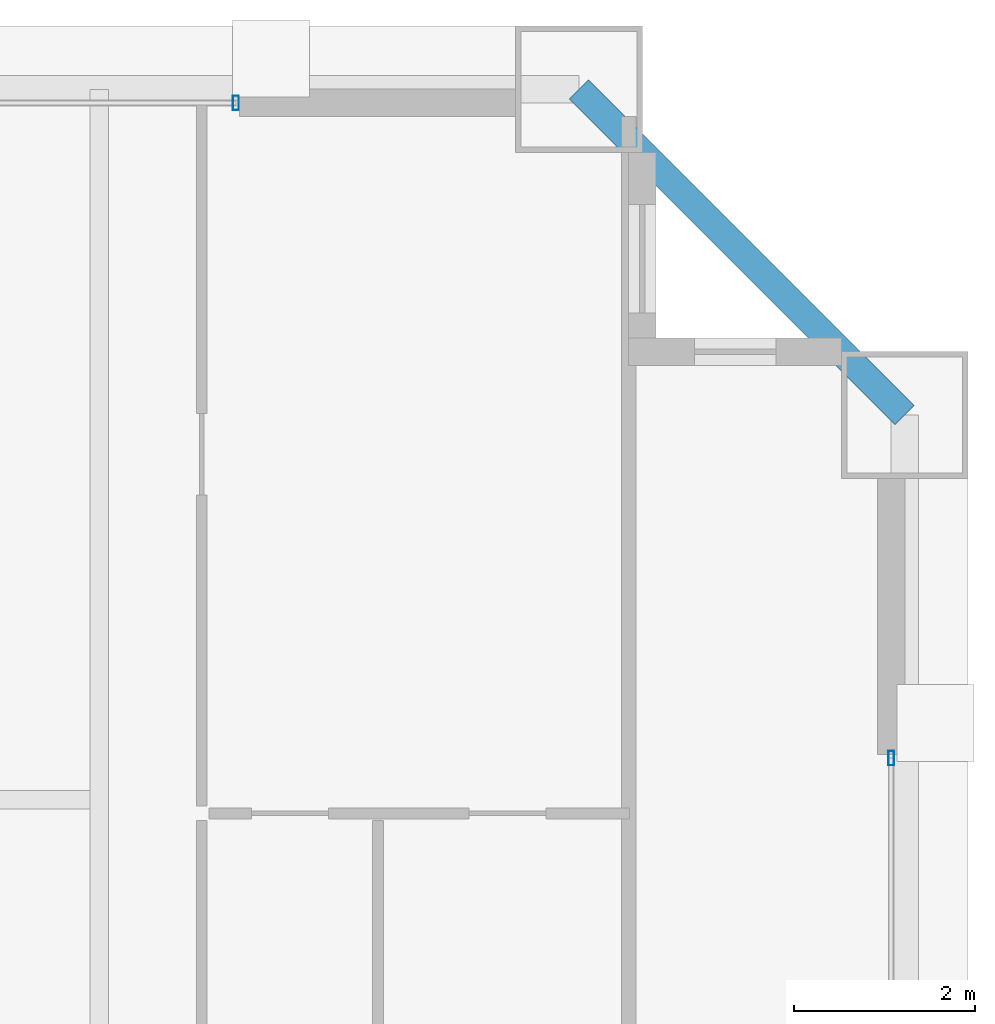
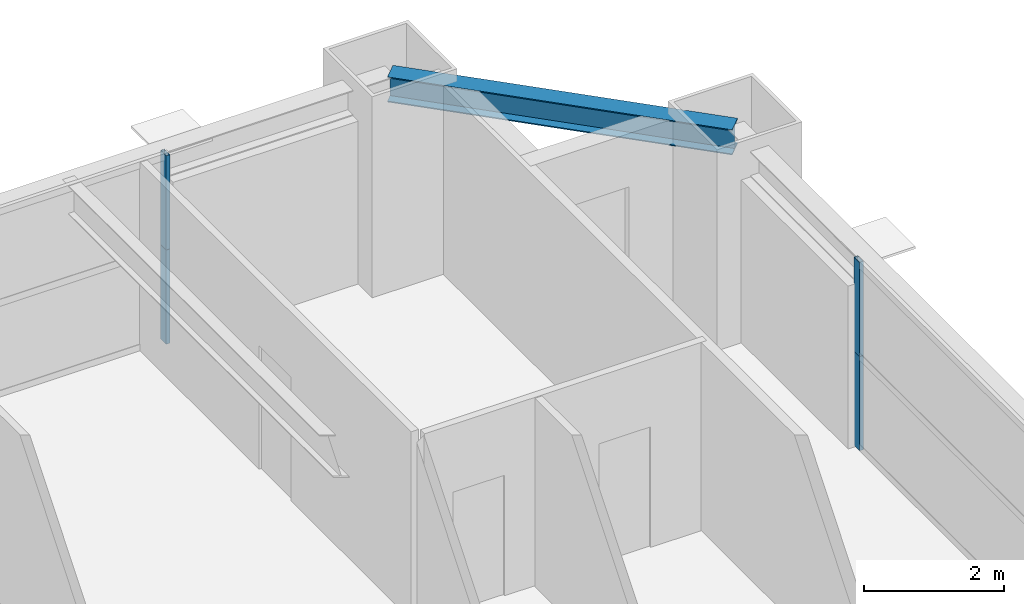
# One storey, part 31 of 38: 4 members, 1 beam, 2 elements without a shape of their own.
"""IFC4 building model written with IfcOpenShell, lengths in metres."""

import ifcopenshell
import ifcopenshell.guid

model = None  # the IFC model being written
_history = None  # IfcOwnerHistory: only IFC2X3 demands one
_inside = {}  # id of a spatial element -> (the spatial element, [elements in it])
_under = {}  # id of a project, library or spatial element -> (it, [spatial elements below it])
_declared = {}  # id of a project -> (the project, [libraries it declares])
_typed = {}  # id of a type object -> (the type object, [elements of that type])
_made_of = {}  # id of a material, layer set ... -> (it, [elements and type objects made of it])


def new_model(schema):
    """Start an empty IFC model of exactly this schema.

    Asked for "IFC4X3", IfcOpenShell would pick the latest addendum, in which some entities
    have other attributes; the version numbers below select the first issue.
    IFC2X3 requires an IfcOwnerHistory on every rooted entity: one is made here for all.
    """
    global model, _history
    if schema == "IFC4X3":
        model = ifcopenshell.file(schema_version=(4, 3, 0, 0))
    else:
        model = ifcopenshell.file(schema=schema)
    _inside.clear()
    _under.clear()
    _declared.clear()
    _typed.clear()
    _made_of.clear()
    _history = None
    if model.schema == "IFC2X3":
        org = make("IfcOrganization", Name="unknown")
        user = make(
            "IfcPersonAndOrganization",
            ThePerson=make("IfcPerson", FamilyName="unknown"),
            TheOrganization=org,
        )
        app = make(
            "IfcApplication",
            ApplicationDeveloper=org,
            Version="unknown",
            ApplicationFullName="unknown",
            ApplicationIdentifier="unknown",
        )
        _history = make(
            "IfcOwnerHistory",
            OwningUser=user,
            OwningApplication=app,
            ChangeAction="ADDED",
            CreationDate=0,
        )
    return model


def make(cls, **values):
    """One entity of the class cls with the attributes given. An attribute that is None is left unset."""
    return model.create_entity(
        cls, **{name: value for name, value in values.items() if value is not None}
    )


def rooted(cls, **values):
    """An entity with a GlobalId (a new one), such as an element, a storey or a relation."""
    return make(cls, GlobalId=ifcopenshell.guid.new(), OwnerHistory=_history, **values)


def si_unit(unit_type, name, prefix=None):
    """IfcSIUnit, for example si_unit("LENGTHUNIT", "METRE", prefix="MILLI")."""
    return make("IfcSIUnit", UnitType=unit_type, Prefix=prefix, Name=name)


def assignment(units):
    """IfcUnitAssignment: the units of a project."""
    return None if units is None else make("IfcUnitAssignment", Units=units)


def point(xyz):
    """IfcCartesianPoint."""
    return None if xyz is None else make("IfcCartesianPoint", Coordinates=xyz)


def direction(xyz):
    """IfcDirection."""
    return None if xyz is None else make("IfcDirection", DirectionRatios=xyz)


def frame(location, z_axis=None, x_axis=None):
    """IfcAxis2Placement3D, a coordinate frame: its origin and axes. An axis left out is left unset."""
    return make(
        "IfcAxis2Placement3D",
        Location=point(location),
        Axis=direction(z_axis),
        RefDirection=direction(x_axis),
    )


def frame_2d(location, x_axis=None):
    """IfcAxis2Placement2D, a coordinate frame in the plane: its origin and x axis."""
    return make(
        "IfcAxis2Placement2D", Location=point(location), RefDirection=direction(x_axis)
    )


def origin():
    """The frame at (0, 0, 0) with its axes left unset."""
    return frame((0.0, 0.0, 0.0))


def origin_2d():
    """The frame at (0, 0) in the plane with its x axis left unset."""
    return frame_2d((0.0, 0.0))


def place(relative_to, where):
    """IfcLocalPlacement: puts the frame where relative to a parent placement (None: the world)."""
    return make(
        "IfcLocalPlacement", PlacementRelTo=relative_to, RelativePlacement=where
    )


def context(
    kind, dimensions, precision=None, world=None, true_north=None, identifier=None
):
    """IfcGeometricRepresentationContext, for example the 3D "Model" context."""
    return make(
        "IfcGeometricRepresentationContext",
        ContextIdentifier=identifier,
        ContextType=kind,
        CoordinateSpaceDimension=dimensions,
        Precision=precision,
        WorldCoordinateSystem=world,
        TrueNorth=true_north,
    )


def subcontext(parent, identifier, kind, view, scale=None):
    """IfcGeometricRepresentationSubContext, for example "Body" below "Model"."""
    return make(
        "IfcGeometricRepresentationSubContext",
        ContextIdentifier=identifier,
        ContextType=kind,
        ParentContext=parent,
        TargetScale=scale,
        TargetView=view,
    )


def project(units=None, contexts=None):
    """IfcProject with its units and contexts."""
    return rooted(
        "IfcProject",
        Name="project",
        RepresentationContexts=contexts,
        UnitsInContext=assignment(units),
    )


def spatial(cls, under=None, at=None, **own):
    """A site, building, storey or space (cls), placed at a placement, below another one or the project."""
    s = rooted(cls, ObjectPlacement=at, **own)
    if under is not None:
        _under.setdefault(under.id(), (under, []))[1].append(s)
    return s


def profile(cls, at=None, kind="AREA", **sizes):
    """A parametric profile (cls). Its sizes go by their IFC names, for example OverallWidth=200.0."""
    return make(cls, ProfileType=kind, Position=at, **sizes)


def hollow_rectangle(**sizes):
    """IfcRectangleHollowProfileDef."""
    return profile("IfcRectangleHollowProfileDef", **sizes)


def i_section(**sizes):
    """IfcIShapeProfileDef."""
    return profile("IfcIShapeProfileDef", **sizes)


def extrude(swept, where, along, depth):
    """IfcExtrudedAreaSolid: the profile swept, set in the frame where, extruded along a direction by depth."""
    return make(
        "IfcExtrudedAreaSolid",
        SweptArea=swept,
        Position=where,
        ExtrudedDirection=direction(along),
        Depth=depth,
    )


def shape(context_of_items, identifier, shape_type, items):
    """IfcShapeRepresentation: the items that make up one representation, for example the "Body"."""
    return make(
        "IfcShapeRepresentation",
        ContextOfItems=context_of_items,
        RepresentationIdentifier=identifier,
        RepresentationType=shape_type,
        Items=items,
    )


def source(mapping_origin, context_of_items, identifier, shape_type, items):
    """IfcRepresentationMap: a shape defined once, which mapped items show again and again."""
    return make(
        "IfcRepresentationMap",
        MappingOrigin=mapping_origin,
        MappedRepresentation=shape(context_of_items, identifier, shape_type, items),
    )


def transform(
    local_origin,
    x_axis=None,
    y_axis=None,
    z_axis=None,
    scale=None,
    scale2=None,
    scale3=None,
    uniform=True,
):
    """IfcCartesianTransformationOperator3D, or its non-uniform kind. x_axis, y_axis, z_axis: its Axis1, 2, 3."""
    if uniform:
        return make(
            "IfcCartesianTransformationOperator3D",
            Axis1=direction(x_axis),
            Axis2=direction(y_axis),
            LocalOrigin=point(local_origin),
            Scale=scale,
            Axis3=direction(z_axis),
        )
    return make(
        "IfcCartesianTransformationOperator3DnonUniform",
        Axis1=direction(x_axis),
        Axis2=direction(y_axis),
        LocalOrigin=point(local_origin),
        Scale=scale,
        Axis3=direction(z_axis),
        Scale2=scale2,
        Scale3=scale3,
    )


def mapped(mapping_source, mapping_target):
    """IfcMappedItem: shows the shape of a source again, moved by a transform."""
    return make(
        "IfcMappedItem", MappingSource=mapping_source, MappingTarget=mapping_target
    )


def material(Name=None, Category=None):
    """IfcMaterial."""
    return make("IfcMaterial", Name=Name, Category=Category)


def layer(
    of_material, thickness, ventilated=None, Name=None, Category=None, Priority=None
):
    """IfcMaterialLayer: one layer of a wall or slab, of a material (None: an air gap)."""
    return make(
        "IfcMaterialLayer",
        Material=of_material,
        LayerThickness=thickness,
        IsVentilated=ventilated,
        Name=Name,
        Category=Category,
        Priority=Priority,
    )


def layer_set(layers, Name=None):
    """IfcMaterialLayerSet."""
    return make("IfcMaterialLayerSet", MaterialLayers=layers, LayerSetName=Name)


def material_profile(
    of_material, cross_section, Name=None, Category=None, Priority=None
):
    """IfcMaterialProfile: a cross section and its material."""
    return make(
        "IfcMaterialProfile",
        Name=Name,
        Material=of_material,
        Profile=cross_section,
        Priority=Priority,
        Category=Category,
    )


def profile_set(profiles, Name=None, composite=None):
    """IfcMaterialProfileSet."""
    return make(
        "IfcMaterialProfileSet",
        Name=Name,
        MaterialProfiles=profiles,
        CompositeProfile=composite,
    )


def made_of(thing, what):
    """Note that an element or type object is made of a material, layer set ...; save() writes the relation."""
    if what is not None:
        _made_of.setdefault(what.id(), (what, []))[1].append(thing)
    return thing


def type_object(cls, material=None, **own):
    """A type object (cls), such as IfcWallType, which elements share."""
    return made_of(rooted(cls, **own), material)


def element(
    cls,
    number,
    at=None,
    inside=None,
    cuts=None,
    type_object=None,
    material=None,
    context=None,
    identifier="Body",
    shape_type=None,
    held_by="IfcProductDefinitionShape",
    body=None,
    shapes=None,
    **own,
):
    """One element of the class cls, such as IfcWall. Its Tag is "e" and its number.

    at: its placement. inside: the storey or other place that contains it. cuts: it is an
    opening in that element (IfcRelVoidsElement). A single representation is given by context,
    identifier, shape_type and body (its items); several are given by shapes. held_by: the class
    of the entity that holds the representations. save() writes the other relations.
    """
    e = rooted(cls, Tag="e%d" % number, ObjectPlacement=at, **own)
    if body is not None:
        shapes = [shape(context, identifier, shape_type, body)]
    if shapes is not None:
        e.Representation = make(held_by, Representations=shapes)
    if inside is not None:
        _inside.setdefault(inside.id(), (inside, []))[1].append(e)
    if cuts is not None:
        rooted(
            "IfcRelVoidsElement", RelatingBuildingElement=cuts, RelatedOpeningElement=e
        )
    if type_object is not None:
        _typed.setdefault(type_object.id(), (type_object, []))[1].append(e)
    return made_of(e, material)


def aggregate(whole, parts):
    """IfcRelAggregates: a whole, such as a stair, and the parts it consists of."""
    return rooted("IfcRelAggregates", RelatingObject=whole, RelatedObjects=parts)


def save(model, path):
    """Write the relations noted so far, then the file.

    IfcRelAggregates (storeys below a building ...), IfcRelContainedInSpatialStructure (elements
    in a storey), IfcRelDefinesByType, IfcRelAssociatesMaterial and IfcRelDeclares: one each for
    every whole, place, type object, material and project.
    """
    for whole, parts in _under.values():
        aggregate(whole, parts)
    for where, things in _inside.values():
        rooted(
            "IfcRelContainedInSpatialStructure",
            RelatedElements=things,
            RelatingStructure=where,
        )
    for kind, things in _typed.values():
        rooted("IfcRelDefinesByType", RelatedObjects=things, RelatingType=kind)
    for what, things in _made_of.values():
        rooted("IfcRelAssociatesMaterial", RelatedObjects=things, RelatingMaterial=what)
    for by, libraries in _declared.values():
        rooted("IfcRelDeclares", RelatingContext=by, RelatedDefinitions=libraries)
    model.write(path)


model = new_model("IFC4")

# Units and contexts
model_context = context("Model", 3, precision=1e-05, world=origin(), true_north=direction((0.0, 1.0)))
body_context = subcontext(model_context, "Body", "Model", "MODEL_VIEW")
ifc_project = project(units=[si_unit("LENGTHUNIT", "METRE"), si_unit("AREAUNIT", "SQUARE_METRE"), si_unit("VOLUMEUNIT", "CUBIC_METRE"), si_unit("PLANEANGLEUNIT", "RADIAN"), si_unit("MASSUNIT", "GRAM", prefix="KILO"), si_unit("THERMODYNAMICTEMPERATUREUNIT", "KELVIN"), si_unit("POWERUNIT", "WATT")], contexts=[model_context])

# Site, building, storey
site_placement = place(None, origin())
site = spatial("IfcSite", under=ifc_project, at=site_placement, CompositionType="ELEMENT")
building_placement = place(site_placement, origin())
building = spatial("IfcBuilding", under=site, at=building_placement, Name="Yuzanri Waterfront Tower", CompositionType="ELEMENT")
storey_placement = place(building_placement, frame((0.0, 0.0, 195.0)))
storey = spatial("IfcBuildingStorey", under=building, at=storey_placement, Name="L51", CompositionType="ELEMENT", Elevation=195.0)

# Beam
ifc_material_1 = material(Name="Steel Q355B", Category="steel")
ifc_material_profile_1 = material_profile(ifc_material_1, i_section(OverallWidth=0.300048828125, OverallDepth=0.43994140625, WebThickness=0.010986328125, FlangeThickness=0.01806640625, at=origin_2d()), Name="HM 440x300x11x18")
ifc_profile_set_1 = profile_set([ifc_material_profile_1], Name="Steel Q355B")
beam_type = type_object("IfcBeamType", Name="Perimeter Spandrel Q355B HM 440x300", PredefinedType="SPANDREL", material=ifc_profile_set_1)
shared_shape_1 = source(origin(), body_context, "Body", "SweptSolid", [
    extrude(i_section(OverallWidth=0.300048828125, OverallDepth=0.43994140625, WebThickness=0.010986328125, FlangeThickness=0.01806640625, at=origin_2d()), origin(), (0.0, 0.0, 1.0), 5.091064453125),
])
beam_placement = place(storey_placement, frame((59.10009765625, 44.300048828125, 3.06005859375), z_axis=(-0.707130757816, 0.707082803744, 0.0), x_axis=(-0.707082803744, -0.707130757816, 0.0)))
element("IfcBeam", 1, at=beam_placement, inside=storey, type_object=beam_type, Name="L51 Perimeter Spandrel E3-N3", PredefinedType="SPANDREL", context=body_context, shape_type="MappedRepresentation", body=[
    mapped(shared_shape_1, transform((0.0, 0.0, 0.0), scale=1.0)),
])

# Curtain wall, members
ifc_material_2 = material(Name="Anodized Architectural Bronze", Category="metal")
ifc_layer = layer(ifc_material_2, 0.159912109375)
ifc_layer_set = layer_set([ifc_layer], Name="Anodized Architectural Bronze")
curtain_wall_type = type_object("IfcCurtainWallType", Name="Anodized Bronze Mid-Rise Residential Acoustic Unitized Curtain Wall 7200", PredefinedType="NOTDEFINED", material=ifc_layer_set)
curtain_wall_1_placement = place(storey_placement, origin())
curtain_wall_1 = element("IfcCurtainWall", 2, at=curtain_wall_1_placement, inside=storey, type_object=curtain_wall_type, Name="L51 Curtain Wall CW-L51-NR", PredefinedType="NOTDEFINED")
ifc_material_3 = material(Name="Anodized Architectural Bronze", Category="metal")
ifc_material_profile_2 = material_profile(ifc_material_3, hollow_rectangle(XDim=0.06494140625, YDim=0.159912109375, WallThickness=0.00341796875, at=origin_2d()), Name="CWM 65x160")
ifc_profile_set_2 = profile_set([ifc_material_profile_2], Name="Anodized Architectural Bronze")
member_type = type_object("IfcMemberType", Name="Anodized Bronze Upper-Zone Curtain-Wall Mullion 65x160", PredefinedType="MULLION", material=ifc_profile_set_2)
shared_shape_2 = source(origin(), body_context, "Body", "SweptSolid", [
    extrude(hollow_rectangle(XDim=0.06494140625, YDim=0.159912109375, WallThickness=0.00341796875, at=origin_2d()), origin(), (0.0, 0.0, 1.0), 1.637939453125),
])
member_1_placement = place(storey_placement, frame((51.7099609375, 47.75, 0.0), z_axis=(0.0, 0.0, 1.0), x_axis=(1.0, 0.0, 0.0)))
member_1 = element("IfcMember", 3, at=member_1_placement, type_object=member_type, Name="CW-L51-NR Lower Mullion 02", PredefinedType="MULLION", context=body_context, shape_type="MappedRepresentation", body=[
    mapped(shared_shape_2, transform((0.0, 0.0, 0.0), scale=1.0)),
])
member_2_placement = place(storey_placement, frame((51.7099609375, 47.75, 1.64208984375), z_axis=(0.0, 0.0, 1.0), x_axis=(1.0, 0.0, 0.0)))
member_2 = element("IfcMember", 4, at=member_2_placement, type_object=member_type, Name="CW-L51-NR Upper Mullion 02", PredefinedType="MULLION", context=body_context, shape_type="MappedRepresentation", body=[
    mapped(shared_shape_2, transform((0.0, 0.0, 0.0), scale=1.0)),
])
aggregate(curtain_wall_1, [member_1, member_2])

curtain_wall_2_placement = place(storey_placement, origin())
curtain_wall_2 = element("IfcCurtainWall", 5, at=curtain_wall_2_placement, inside=storey, type_object=curtain_wall_type, Name="L51 Curtain Wall CW-L51-ER", PredefinedType="NOTDEFINED")
member_3_placement = place(storey_placement, frame((58.949951171875, 40.510009765625, 0.0), z_axis=(0.0, 0.0, 1.0), x_axis=(1.0, 0.0, 0.0)))
member_3 = element("IfcMember", 6, at=member_3_placement, type_object=member_type, Name="CW-L51-ER Lower Mullion 02", PredefinedType="MULLION", context=body_context, shape_type="MappedRepresentation", body=[
    mapped(shared_shape_2, transform((0.0, 0.0, 0.0), scale=1.0)),
])
member_4_placement = place(storey_placement, frame((58.949951171875, 40.510009765625, 1.64208984375), z_axis=(0.0, 0.0, 1.0), x_axis=(1.0, 0.0, 0.0)))
member_4 = element("IfcMember", 7, at=member_4_placement, type_object=member_type, Name="CW-L51-ER Upper Mullion 02", PredefinedType="MULLION", context=body_context, shape_type="MappedRepresentation", body=[
    mapped(shared_shape_2, transform((0.0, 0.0, 0.0), scale=1.0)),
])
aggregate(curtain_wall_2, [member_3, member_4])

save(model, "model.ifc")
